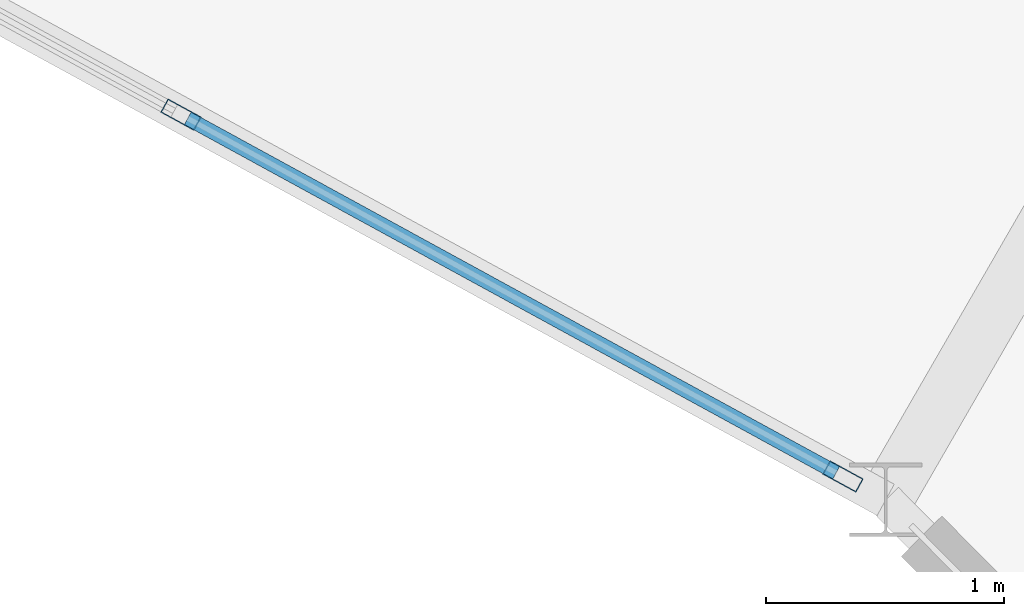
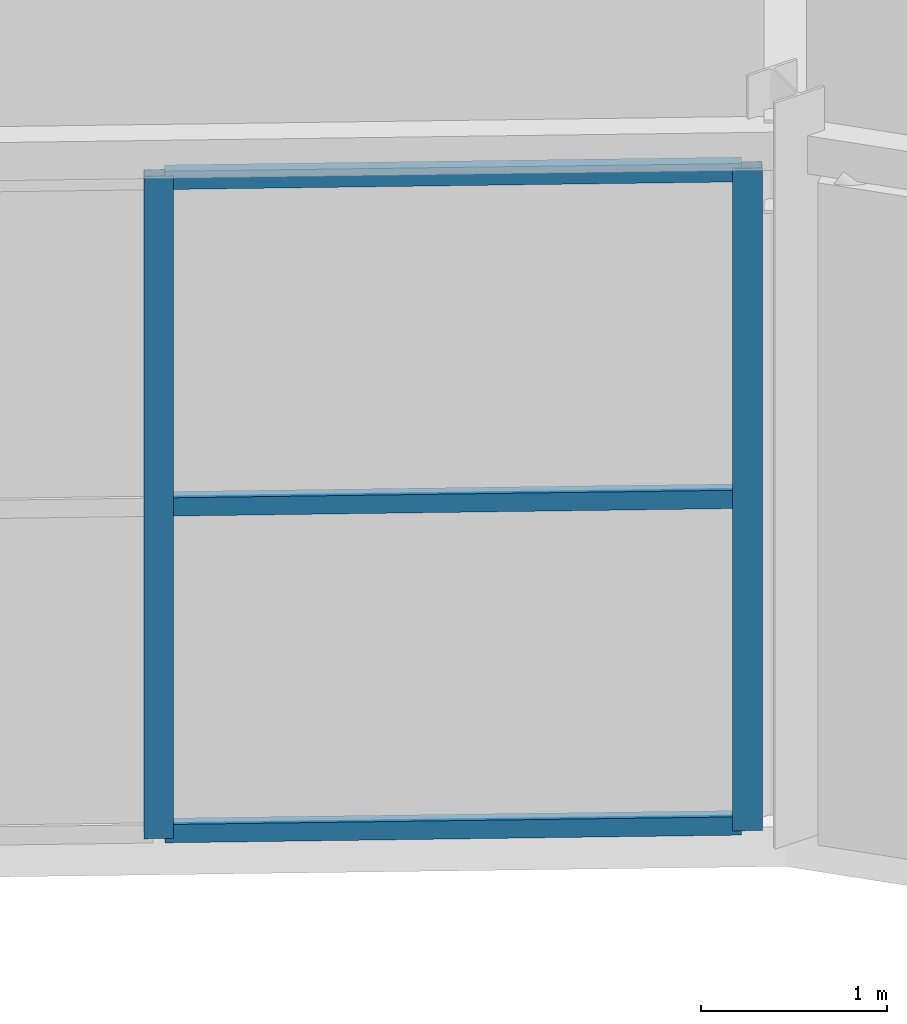
# One storey, part 83 of 144: 5 members, 1 element without a shape of its own.
"""IFC4 building model written with IfcOpenShell, lengths in metres."""

from ifc_helpers import new_model, si_unit, direction, frame, origin, origin_2d, place, context, subcontext, project, spatial, hollow_rectangle, extrude, material, material_profile, profile_set, type_object, element, aggregate, save


model = new_model("IFC4")

# Units and contexts
model_context = context("Model", 3, precision=1e-05, world=origin(), true_north=direction((0.0, 1.0)))
body_context = subcontext(model_context, "Body", "Model", "MODEL_VIEW")
ifc_project = project(units=[si_unit("LENGTHUNIT", "METRE"), si_unit("AREAUNIT", "SQUARE_METRE"), si_unit("VOLUMEUNIT", "CUBIC_METRE"), si_unit("PLANEANGLEUNIT", "RADIAN"), si_unit("MASSUNIT", "GRAM", prefix="KILO")], contexts=[model_context])

# Site, building, storey
site_placement = place(None, origin())
site = spatial("IfcSite", under=ifc_project, at=site_placement, CompositionType="ELEMENT")
building_placement = place(site_placement, origin())
building = spatial("IfcBuilding", under=site, at=building_placement, Name="Karori Crest Natural Sciences Institute", CompositionType="ELEMENT")
storey_placement = place(building_placement, origin())
storey = spatial("IfcBuildingStorey", under=building, at=storey_placement, Name="L00", CompositionType="ELEMENT", Elevation=0.0)

# Curtain wall, members
ifc_material = material(Name="Anodised architectural aluminium 6063-T6", Category="aluminium")
curtain_wall_type = type_object("IfcCurtainWallType", Name="CWT-15", PredefinedType="NOTDEFINED", material=ifc_material)
curtain_wall_placement = place(storey_placement, origin())
curtain_wall = element("IfcCurtainWall", 1, at=curtain_wall_placement, inside=storey, type_object=curtain_wall_type, Name="Curtain wall CW-0007", PredefinedType="NOTDEFINED")
ifc_material_profile_1 = material_profile(ifc_material, hollow_rectangle(XDim=0.06494140625, YDim=0.159912109375, WallThickness=0.00390625, at=origin_2d()), Name="CWM160x65x4")
ifc_profile_set_1 = profile_set([ifc_material_profile_1], Name="Anodised architectural aluminium 6063-T6")
member_type_1 = type_object("IfcMemberType", Name="CWM-01", PredefinedType="MULLION", material=ifc_profile_set_1)
member_1_placement = place(storey_placement, frame((78.4208984375, 77.884033203125, 0.0), z_axis=(0.0, 0.0, 1.0), x_axis=(-0.479643389875, -0.877463514084, 0.0)))
member_1 = element("IfcMember", 2, at=member_1_placement, type_object=member_type_1, Name="CW-0007 mullion 1", PredefinedType="MULLION", context=body_context, shape_type="SweptSolid", body=[
    extrude(hollow_rectangle(XDim=0.06494140625, YDim=0.159912109375, WallThickness=0.00390625, at=origin_2d()), origin(), (0.0, 0.0, 1.0), 4.35009765625),
])
member_2_placement = place(storey_placement, frame((75.641357421875, 79.4033203125, 0.0), z_axis=(0.0, 0.0, 1.0), x_axis=(-0.479643389875, -0.877463514084, 0.0)))
member_2 = element("IfcMember", 3, at=member_2_placement, type_object=member_type_1, Name="CW-0007 mullion 2", PredefinedType="MULLION", context=body_context, shape_type="SweptSolid", body=[
    extrude(hollow_rectangle(XDim=0.06494140625, YDim=0.159912109375, WallThickness=0.00390625, at=origin_2d()), origin(), (0.0, 0.0, 1.0), 4.35009765625),
])
ifc_material_profile_2 = material_profile(ifc_material, hollow_rectangle(XDim=0.06005859375, YDim=0.1201171875, WallThickness=0.00390625, at=origin_2d()), Name="CWT120x60x4")
ifc_profile_set_2 = profile_set([ifc_material_profile_2], Name="Anodised architectural aluminium 6063-T6")
member_type_2 = type_object("IfcMemberType", Name="CWT-TR1", PredefinedType="USERDEFINED", material=ifc_profile_set_2)
member_3_placement = place(storey_placement, frame((78.392333984375, 77.899658203125, 0.030029296875), z_axis=(-0.877495326305, 0.479585187754, 0.0), x_axis=(-0.479585187754, -0.877495326305, 0.0)))
member_3 = element("IfcMember", 4, at=member_3_placement, type_object=member_type_2, Name="CW-0007 transom 1.1", ObjectType="TRANSOM", PredefinedType="USERDEFINED", context=body_context, shape_type="SweptSolid", body=[
    extrude(hollow_rectangle(XDim=0.06005859375, YDim=0.1201171875, WallThickness=0.00390625, at=origin_2d()), origin(), (0.0, 0.0, 1.0), 3.102783203125),
])
member_4_placement = place(storey_placement, frame((78.392333984375, 77.899658203125, 2.175048828125), z_axis=(-0.877495326305, 0.479585187754, 0.0), x_axis=(-0.479585187754, -0.877495326305, 0.0)))
member_4 = element("IfcMember", 5, at=member_4_placement, type_object=member_type_2, Name="CW-0007 transom 1.2", ObjectType="TRANSOM", PredefinedType="USERDEFINED", context=body_context, shape_type="SweptSolid", body=[
    extrude(hollow_rectangle(XDim=0.06005859375, YDim=0.1201171875, WallThickness=0.00390625, at=origin_2d()), origin(), (0.0, 0.0, 1.0), 3.102783203125),
])
member_5_placement = place(storey_placement, frame((78.392333984375, 77.899658203125, 4.320068359375), z_axis=(-0.877495326305, 0.479585187754, 0.0), x_axis=(-0.479585187754, -0.877495326305, 0.0)))
member_5 = element("IfcMember", 6, at=member_5_placement, type_object=member_type_2, Name="CW-0007 transom 1.3", ObjectType="TRANSOM", PredefinedType="USERDEFINED", context=body_context, shape_type="SweptSolid", body=[
    extrude(hollow_rectangle(XDim=0.06005859375, YDim=0.1201171875, WallThickness=0.00390625, at=origin_2d()), origin(), (0.0, 0.0, 1.0), 3.102783203125),
])
aggregate(curtain_wall, [member_1, member_2, member_3, member_4, member_5])

save(model, "model.ifc")
